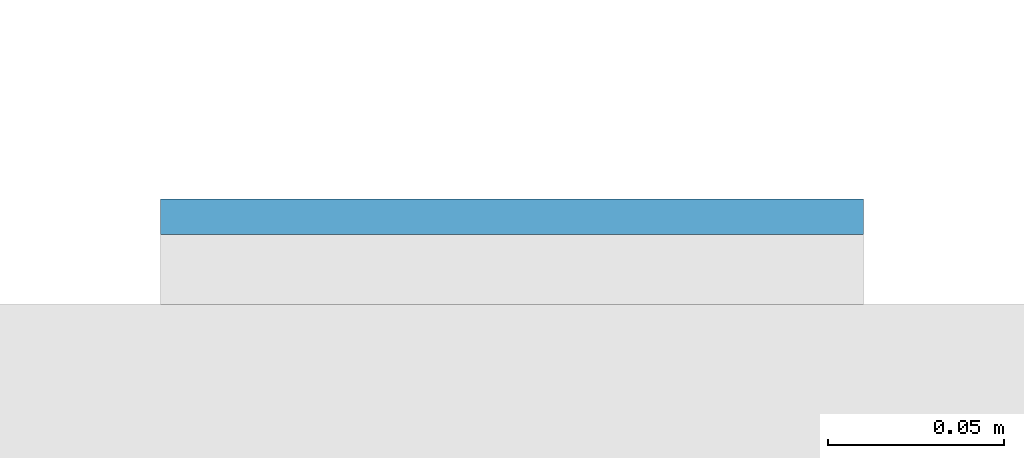
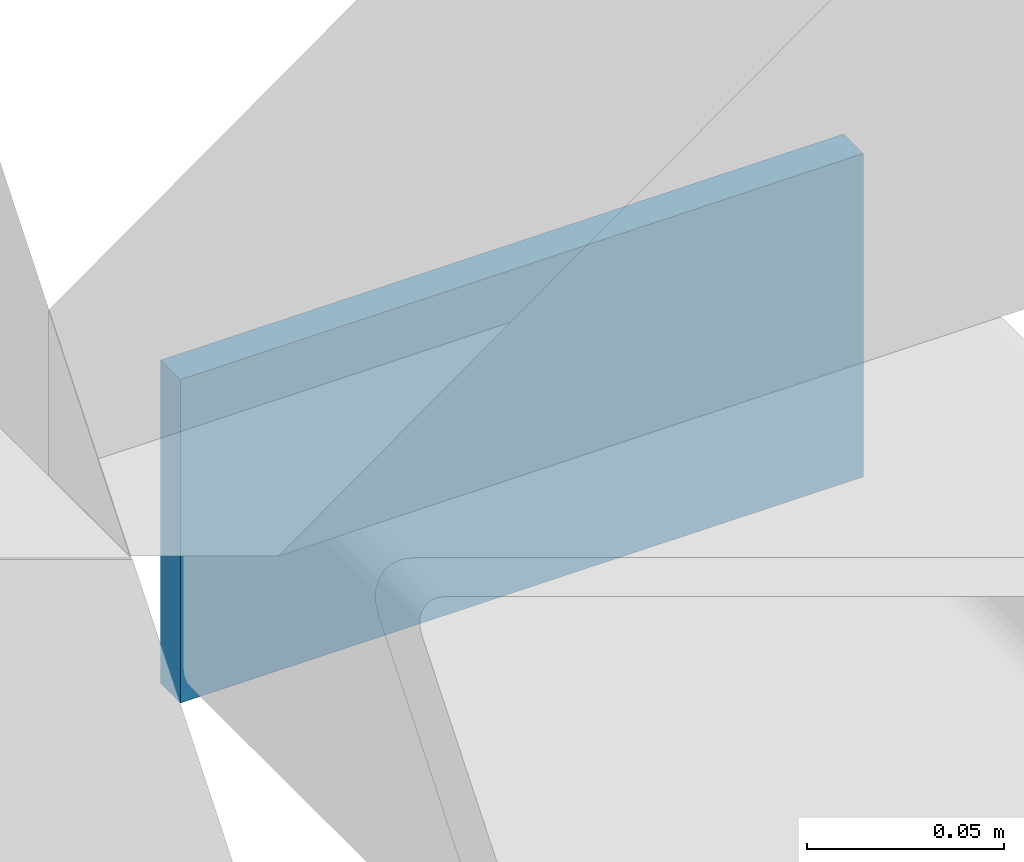
# One storey, part 11 of 21: 1 plate.
"""IFC4 building model written with IfcOpenShell, lengths in metres."""

import ifcopenshell
import ifcopenshell.guid

model = None  # the IFC model being written
_history = None  # IfcOwnerHistory: only IFC2X3 demands one
_inside = {}  # id of a spatial element -> (the spatial element, [elements in it])
_under = {}  # id of a project, library or spatial element -> (it, [spatial elements below it])
_declared = {}  # id of a project -> (the project, [libraries it declares])
_typed = {}  # id of a type object -> (the type object, [elements of that type])
_made_of = {}  # id of a material, layer set ... -> (it, [elements and type objects made of it])


def new_model(schema):
    """Start an empty IFC model of exactly this schema.

    Asked for "IFC4X3", IfcOpenShell would pick the latest addendum, in which some entities
    have other attributes; the version numbers below select the first issue.
    IFC2X3 requires an IfcOwnerHistory on every rooted entity: one is made here for all.
    """
    global model, _history
    if schema == "IFC4X3":
        model = ifcopenshell.file(schema_version=(4, 3, 0, 0))
    else:
        model = ifcopenshell.file(schema=schema)
    _inside.clear()
    _under.clear()
    _declared.clear()
    _typed.clear()
    _made_of.clear()
    _history = None
    if model.schema == "IFC2X3":
        org = make("IfcOrganization", Name="unknown")
        user = make(
            "IfcPersonAndOrganization",
            ThePerson=make("IfcPerson", FamilyName="unknown"),
            TheOrganization=org,
        )
        app = make(
            "IfcApplication",
            ApplicationDeveloper=org,
            Version="unknown",
            ApplicationFullName="unknown",
            ApplicationIdentifier="unknown",
        )
        _history = make(
            "IfcOwnerHistory",
            OwningUser=user,
            OwningApplication=app,
            ChangeAction="ADDED",
            CreationDate=0,
        )
    return model


def make(cls, **values):
    """One entity of the class cls with the attributes given. An attribute that is None is left unset."""
    return model.create_entity(
        cls, **{name: value for name, value in values.items() if value is not None}
    )


def rooted(cls, **values):
    """An entity with a GlobalId (a new one), such as an element, a storey or a relation."""
    return make(cls, GlobalId=ifcopenshell.guid.new(), OwnerHistory=_history, **values)


def si_unit(unit_type, name, prefix=None):
    """IfcSIUnit, for example si_unit("LENGTHUNIT", "METRE", prefix="MILLI")."""
    return make("IfcSIUnit", UnitType=unit_type, Prefix=prefix, Name=name)


def assignment(units):
    """IfcUnitAssignment: the units of a project."""
    return None if units is None else make("IfcUnitAssignment", Units=units)


def point(xyz):
    """IfcCartesianPoint."""
    return None if xyz is None else make("IfcCartesianPoint", Coordinates=xyz)


def direction(xyz):
    """IfcDirection."""
    return None if xyz is None else make("IfcDirection", DirectionRatios=xyz)


def frame(location, z_axis=None, x_axis=None):
    """IfcAxis2Placement3D, a coordinate frame: its origin and axes. An axis left out is left unset."""
    return make(
        "IfcAxis2Placement3D",
        Location=point(location),
        Axis=direction(z_axis),
        RefDirection=direction(x_axis),
    )


def frame_2d(location, x_axis=None):
    """IfcAxis2Placement2D, a coordinate frame in the plane: its origin and x axis."""
    return make(
        "IfcAxis2Placement2D", Location=point(location), RefDirection=direction(x_axis)
    )


def origin():
    """The frame at (0, 0, 0) with its axes left unset."""
    return frame((0.0, 0.0, 0.0))


def origin_2d():
    """The frame at (0, 0) in the plane with its x axis left unset."""
    return frame_2d((0.0, 0.0))


def place(relative_to, where):
    """IfcLocalPlacement: puts the frame where relative to a parent placement (None: the world)."""
    return make(
        "IfcLocalPlacement", PlacementRelTo=relative_to, RelativePlacement=where
    )


def context(
    kind, dimensions, precision=None, world=None, true_north=None, identifier=None
):
    """IfcGeometricRepresentationContext, for example the 3D "Model" context."""
    return make(
        "IfcGeometricRepresentationContext",
        ContextIdentifier=identifier,
        ContextType=kind,
        CoordinateSpaceDimension=dimensions,
        Precision=precision,
        WorldCoordinateSystem=world,
        TrueNorth=true_north,
    )


def subcontext(parent, identifier, kind, view, scale=None):
    """IfcGeometricRepresentationSubContext, for example "Body" below "Model"."""
    return make(
        "IfcGeometricRepresentationSubContext",
        ContextIdentifier=identifier,
        ContextType=kind,
        ParentContext=parent,
        TargetScale=scale,
        TargetView=view,
    )


def project(units=None, contexts=None):
    """IfcProject with its units and contexts."""
    return rooted(
        "IfcProject",
        Name="project",
        RepresentationContexts=contexts,
        UnitsInContext=assignment(units),
    )


def spatial(cls, under=None, at=None, **own):
    """A site, building, storey or space (cls), placed at a placement, below another one or the project."""
    s = rooted(cls, ObjectPlacement=at, **own)
    if under is not None:
        _under.setdefault(under.id(), (under, []))[1].append(s)
    return s


def profile(cls, at=None, kind="AREA", **sizes):
    """A parametric profile (cls). Its sizes go by their IFC names, for example OverallWidth=200.0."""
    return make(cls, ProfileType=kind, Position=at, **sizes)


def rectangle(**sizes):
    """IfcRectangleProfileDef."""
    return profile("IfcRectangleProfileDef", **sizes)


def extrude(swept, where, along, depth):
    """IfcExtrudedAreaSolid: the profile swept, set in the frame where, extruded along a direction by depth."""
    return make(
        "IfcExtrudedAreaSolid",
        SweptArea=swept,
        Position=where,
        ExtrudedDirection=direction(along),
        Depth=depth,
    )


def shape(context_of_items, identifier, shape_type, items):
    """IfcShapeRepresentation: the items that make up one representation, for example the "Body"."""
    return make(
        "IfcShapeRepresentation",
        ContextOfItems=context_of_items,
        RepresentationIdentifier=identifier,
        RepresentationType=shape_type,
        Items=items,
    )


def material(Name=None, Category=None):
    """IfcMaterial."""
    return make("IfcMaterial", Name=Name, Category=Category)


def layer(
    of_material, thickness, ventilated=None, Name=None, Category=None, Priority=None
):
    """IfcMaterialLayer: one layer of a wall or slab, of a material (None: an air gap)."""
    return make(
        "IfcMaterialLayer",
        Material=of_material,
        LayerThickness=thickness,
        IsVentilated=ventilated,
        Name=Name,
        Category=Category,
        Priority=Priority,
    )


def layer_set(layers, Name=None):
    """IfcMaterialLayerSet."""
    return make("IfcMaterialLayerSet", MaterialLayers=layers, LayerSetName=Name)


def made_of(thing, what):
    """Note that an element or type object is made of a material, layer set ...; save() writes the relation."""
    if what is not None:
        _made_of.setdefault(what.id(), (what, []))[1].append(thing)
    return thing


def type_object(cls, material=None, **own):
    """A type object (cls), such as IfcWallType, which elements share."""
    return made_of(rooted(cls, **own), material)


def element(
    cls,
    number,
    at=None,
    inside=None,
    cuts=None,
    type_object=None,
    material=None,
    context=None,
    identifier="Body",
    shape_type=None,
    held_by="IfcProductDefinitionShape",
    body=None,
    shapes=None,
    **own,
):
    """One element of the class cls, such as IfcWall. Its Tag is "e" and its number.

    at: its placement. inside: the storey or other place that contains it. cuts: it is an
    opening in that element (IfcRelVoidsElement). A single representation is given by context,
    identifier, shape_type and body (its items); several are given by shapes. held_by: the class
    of the entity that holds the representations. save() writes the other relations.
    """
    e = rooted(cls, Tag="e%d" % number, ObjectPlacement=at, **own)
    if body is not None:
        shapes = [shape(context, identifier, shape_type, body)]
    if shapes is not None:
        e.Representation = make(held_by, Representations=shapes)
    if inside is not None:
        _inside.setdefault(inside.id(), (inside, []))[1].append(e)
    if cuts is not None:
        rooted(
            "IfcRelVoidsElement", RelatingBuildingElement=cuts, RelatedOpeningElement=e
        )
    if type_object is not None:
        _typed.setdefault(type_object.id(), (type_object, []))[1].append(e)
    return made_of(e, material)


def aggregate(whole, parts):
    """IfcRelAggregates: a whole, such as a stair, and the parts it consists of."""
    return rooted("IfcRelAggregates", RelatingObject=whole, RelatedObjects=parts)


def save(model, path):
    """Write the relations noted so far, then the file.

    IfcRelAggregates (storeys below a building ...), IfcRelContainedInSpatialStructure (elements
    in a storey), IfcRelDefinesByType, IfcRelAssociatesMaterial and IfcRelDeclares: one each for
    every whole, place, type object, material and project.
    """
    for whole, parts in _under.values():
        aggregate(whole, parts)
    for where, things in _inside.values():
        rooted(
            "IfcRelContainedInSpatialStructure",
            RelatedElements=things,
            RelatingStructure=where,
        )
    for kind, things in _typed.values():
        rooted("IfcRelDefinesByType", RelatedObjects=things, RelatingType=kind)
    for what, things in _made_of.values():
        rooted("IfcRelAssociatesMaterial", RelatedObjects=things, RelatingMaterial=what)
    for by, libraries in _declared.values():
        rooted("IfcRelDeclares", RelatingContext=by, RelatedDefinitions=libraries)
    model.write(path)


model = new_model("IFC4")

# Units and contexts
model_context = context("Model", 3, precision=1e-05, world=origin(), true_north=direction((0.0, 1.0)))
body_context = subcontext(model_context, "Body", "Model", "MODEL_VIEW")
ifc_project = project(units=[si_unit("LENGTHUNIT", "METRE"), si_unit("AREAUNIT", "SQUARE_METRE"), si_unit("VOLUMEUNIT", "CUBIC_METRE"), si_unit("PLANEANGLEUNIT", "RADIAN"), si_unit("MASSUNIT", "GRAM", prefix="KILO")], contexts=[model_context])

# Site, building, storey
site_placement = place(None, origin())
site = spatial("IfcSite", under=ifc_project, at=site_placement, CompositionType="ELEMENT")
building_placement = place(site_placement, origin())
building = spatial("IfcBuilding", under=site, at=building_placement, Name="Cleftline Residences", CompositionType="ELEMENT")
storey_placement = place(building_placement, frame((0.0, 0.0, 161.0)))
storey = spatial("IfcBuildingStorey", under=building, at=storey_placement, Name="L42", CompositionType="ELEMENT", Elevation=161.0)

# Plate
ifc_material = material(Name="Steel S355, hot-dip galvanised", Category="steel")
ifc_layer = layer(ifc_material, 0.010009765625)
ifc_layer_set = layer_set([ifc_layer], Name="BAGUETTE CARRIER END PLATE 200X100X10")
plate_type = type_object("IfcPlateType", Name="BAGUETTE CARRIER END PLATE 200X100X10", PredefinedType="USERDEFINED", material=ifc_layer_set)
plate_placement = place(storey_placement, frame((66.85009765625, 44.304931640625, -0.10009765625), z_axis=(0.0, 0.0, 1.0), x_axis=(1.0, 0.0, 0.0)))
element("IfcPlate", 1, at=plate_placement, inside=storey, type_object=plate_type, Name="Baguette carrier end plate", ObjectType="BAGUETTE CARRIER END PLATE", PredefinedType="USERDEFINED", context=body_context, shape_type="SweptSolid", body=[
    extrude(rectangle(XDim=0.199951171875, YDim=0.010009765625, at=origin_2d()), origin(), (0.0, 0.0, 1.0), 0.10009765625),
])

save(model, "model.ifc")
